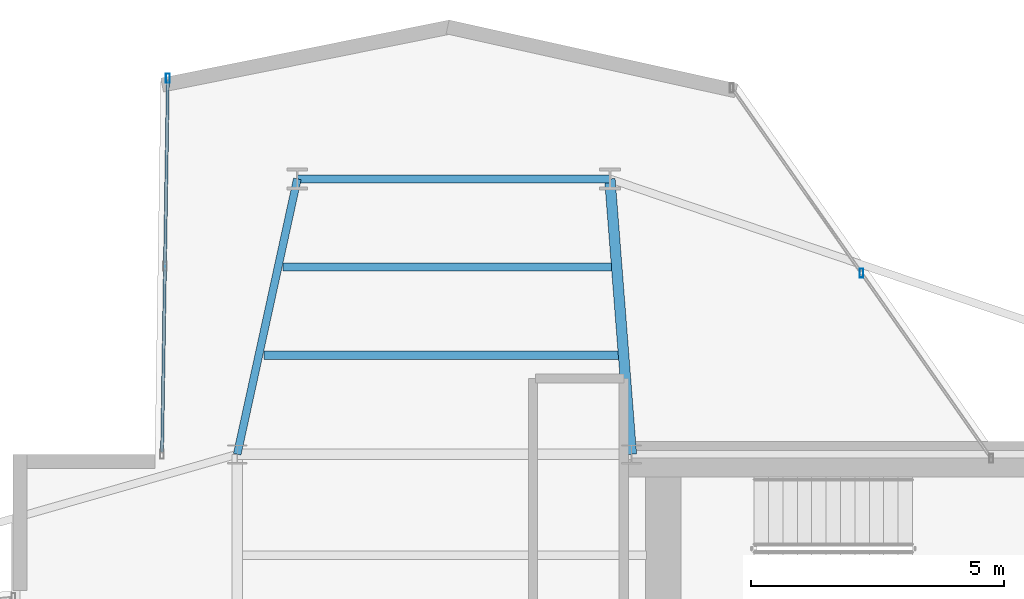
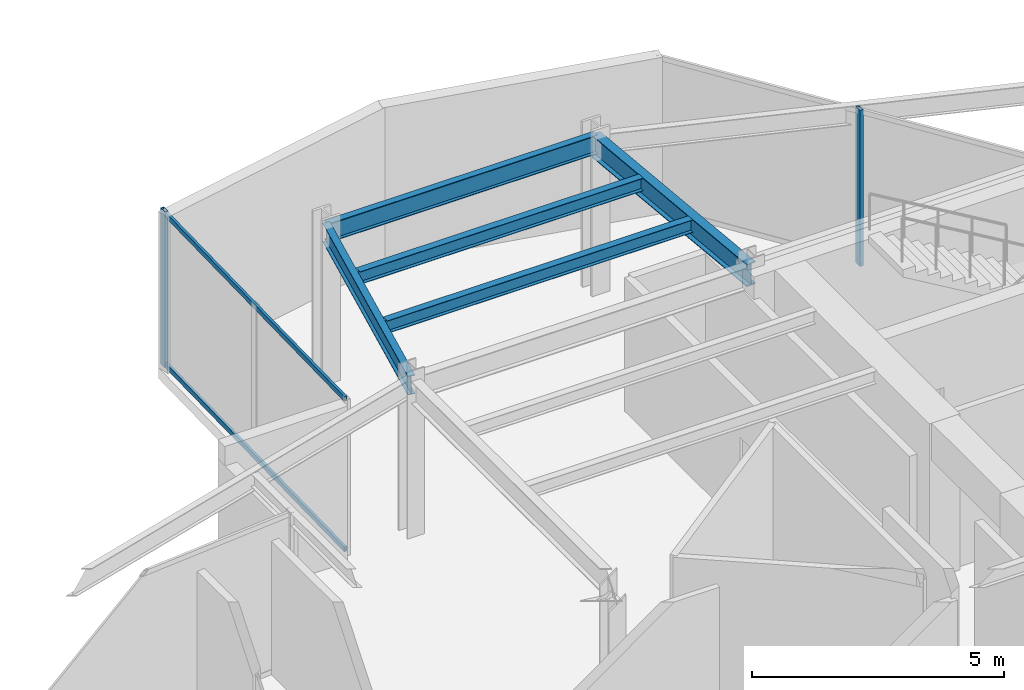
# One storey, part 11 of 24: 5 beams, 4 members, 2 elements without a shape of their own.
"""IFC4 building model written with IfcOpenShell, lengths in metres."""

from ifc_helpers import new_model, si_unit, direction, frame, origin, origin_2d, place, context, subcontext, project, spatial, hollow_rectangle, i_section, extrude, material, layer, layer_set, material_profile, profile_set, type_object, element, aggregate, save


model = new_model("IFC4")

# Units and contexts
model_context = context("Model", 3, precision=1e-05, world=origin(), true_north=direction((0.0, 1.0)))
body_context = subcontext(model_context, "Body", "Model", "MODEL_VIEW")
ifc_project = project(units=[si_unit("LENGTHUNIT", "METRE"), si_unit("AREAUNIT", "SQUARE_METRE"), si_unit("VOLUMEUNIT", "CUBIC_METRE"), si_unit("PLANEANGLEUNIT", "RADIAN"), si_unit("MASSUNIT", "GRAM", prefix="KILO")], contexts=[model_context])

# Site, building, storey
site_placement = place(None, origin())
site = spatial("IfcSite", under=ifc_project, at=site_placement, CompositionType="ELEMENT")
building_placement = place(site_placement, origin())
building = spatial("IfcBuilding", under=site, at=building_placement, Name="Veymaron Broadcast Tower", CompositionType="ELEMENT")
storey_placement = place(building_placement, frame((0.0, 0.0, 220.199951171875)))
storey = spatial("IfcBuildingStorey", under=building, at=storey_placement, Name="L51", CompositionType="ELEMENT", Elevation=220.199951171875)

# Beams
ifc_material_1 = material(Name="Structural steel ASTM A992 Gr 50", Category="steel")
ifc_material_profile_1 = material_profile(ifc_material_1, i_section(OverallWidth=0.2099609375, OverallDepth=0.537109375, WebThickness=0.010986328125, FlangeThickness=0.017333984375, at=origin_2d()), Name="W530X101")
ifc_profile_set_1 = profile_set([ifc_material_profile_1], Name="Structural steel ASTM A992 Gr 50")
beam_type_1 = type_object("IfcBeamType", Name="BM-FG3", PredefinedType="BEAM", material=ifc_profile_set_1)
beam_1_placement = place(storey_placement, frame((39.0, 32.0, 3.521484375), z_axis=(-0.077755189345, 0.996972482333, 0.0), x_axis=(-0.996972482333, -0.077755189345, 0.0)))
element("IfcBeam", 1, at=beam_1_placement, inside=storey, type_object=beam_type_1, Name="L51 primary structural floor girder", PredefinedType="BEAM", context=body_context, shape_type="SweptSolid", body=[
    extrude(i_section(OverallWidth=0.2099609375, OverallDepth=0.537109375, WebThickness=0.010986328125, FlangeThickness=0.017333984375, at=origin_2d()), origin(), (0.0, 0.0, 1.0), 5.466552734375),
])
ifc_material_profile_2 = material_profile(ifc_material_1, i_section(OverallWidth=0.1650390625, OverallDepth=0.31005859375, WebThickness=0.005859375, FlangeThickness=0.009765625, at=origin_2d()), Name="W310X39")
ifc_profile_set_2 = profile_set([ifc_material_profile_2], Name="Structural steel ASTM A992 Gr 50")
beam_type_2 = type_object("IfcBeamType", Name="BM-JS3", PredefinedType="JOIST", material=ifc_profile_set_2)
beam_2_placement = place(storey_placement, frame((31.728515625, 33.9619140625, 3.635009765625), z_axis=(1.0, 0.0, 0.0), x_axis=(0.0, 1.0, 0.0)))
element("IfcBeam", 2, at=beam_2_placement, inside=storey, type_object=beam_type_2, Name="L51 Arm-B secondary joist 1", PredefinedType="JOIST", context=body_context, shape_type="SweptSolid", body=[
    extrude(i_section(OverallWidth=0.1650390625, OverallDepth=0.31005859375, WebThickness=0.005859375, FlangeThickness=0.009765625, at=origin_2d()), origin(), (0.0, 0.0, 1.0), 7.0185546875),
])
beam_3_placement = place(storey_placement, frame((32.109130859375, 35.7060546875, 3.635009765625), z_axis=(1.0, 0.0, 0.0), x_axis=(0.0, 1.0, 0.0)))
element("IfcBeam", 3, at=beam_3_placement, inside=storey, type_object=beam_type_2, Name="L51 Arm-B secondary joist 2", PredefinedType="JOIST", context=body_context, shape_type="SweptSolid", body=[
    extrude(i_section(OverallWidth=0.1650390625, OverallDepth=0.31005859375, WebThickness=0.005859375, FlangeThickness=0.009765625, at=origin_2d()), origin(), (0.0, 0.0, 1.0), 6.501953125),
])
ifc_material_profile_3 = material_profile(ifc_material_1, i_section(OverallWidth=0.154052734375, OverallDepth=0.458984375, WebThickness=0.009033203125, FlangeThickness=0.015380859375, at=origin_2d()), Name="W460X68")
ifc_profile_set_3 = profile_set([ifc_material_profile_3], Name="Structural steel ASTM A992 Gr 50")
beam_type_3 = type_object("IfcBeamType", Name="BM-SP2", PredefinedType="SPANDREL", material=ifc_profile_set_3)
beam_4_placement = place(storey_placement, frame((31.199951171875, 32.0, 3.560546875), z_axis=(0.21331443187, 0.976983599226, 0.0), x_axis=(-0.976983599226, 0.21331443187, 0.0)))
element("IfcBeam", 4, at=beam_4_placement, inside=storey, type_object=beam_type_3, Name="L51 primary structural floor girder", PredefinedType="SPANDREL", context=body_context, shape_type="SweptSolid", body=[
    extrude(i_section(OverallWidth=0.154052734375, OverallDepth=0.458984375, WebThickness=0.009033203125, FlangeThickness=0.015380859375, at=origin_2d()), origin(), (0.0, 0.0, 1.0), 5.578369140625),
])
beam_5_placement = place(storey_placement, frame((32.389892578125, 37.449951171875, 3.560546875), z_axis=(1.0, 0.0, 0.0), x_axis=(0.0, 1.0, 0.0)))
element("IfcBeam", 5, at=beam_5_placement, inside=storey, type_object=beam_type_3, Name="L51 primary structural floor girder", PredefinedType="SPANDREL", context=body_context, shape_type="SweptSolid", body=[
    extrude(i_section(OverallWidth=0.154052734375, OverallDepth=0.458984375, WebThickness=0.009033203125, FlangeThickness=0.015380859375, at=origin_2d()), origin(), (0.0, 0.0, 1.0), 6.18505859375),
])

# Curtain wall, member
ifc_material_2 = material(Name="Anodised aluminium AA 6063-T6 and laminated low-E dark glass", Category="aluminium")
ifc_layer = layer(ifc_material_2, 0.179931640625)
ifc_layer_set = layer_set([ifc_layer], Name="Anodised aluminium AA 6063-T6 and laminated low-E dark glass")
curtain_wall_type = type_object("IfcCurtainWallType", Name="CW-SYS-05", PredefinedType="NOTDEFINED", material=ifc_layer_set)
curtain_wall_1_placement = place(storey_placement, origin())
curtain_wall_1 = element("IfcCurtainWall", 6, at=curtain_wall_1_placement, inside=storey, type_object=curtain_wall_type, Name="L51 dark-glass curtain wall CW-L51-E5-1", PredefinedType="NOTDEFINED")
ifc_material_3 = material(Name="Anodised aluminium AA 6063-T6", Category="aluminium")
ifc_material_profile_4 = material_profile(ifc_material_3, hollow_rectangle(XDim=0.074951171875, YDim=0.179931640625, WallThickness=0.0048828125, at=origin_2d()), Name="AL180X75X5")
ifc_profile_set_4 = profile_set([ifc_material_profile_4], Name="Anodised aluminium AA 6063-T6")
member_type_1 = type_object("IfcMemberType", Name="CW-MUL-02", PredefinedType="MULLION", material=ifc_profile_set_4)
member_1_placement = place(storey_placement, frame((43.55615234375, 35.584716796875, 0.0), z_axis=(0.0, 0.0, 1.0), x_axis=(1.0, 0.0, 0.0)))
member_1 = element("IfcMember", 7, at=member_1_placement, type_object=member_type_1, Name="CW-L51-E5-1 mullion 1", PredefinedType="MULLION", context=body_context, shape_type="SweptSolid", body=[
    extrude(hollow_rectangle(XDim=0.074951171875, YDim=0.179931640625, WallThickness=0.0048828125, at=origin_2d()), origin(), (0.0, 0.0, 1.0), 3.7900390625),
])
aggregate(curtain_wall_1, [member_1])

# Curtain wall, members
curtain_wall_2_placement = place(storey_placement, origin())
curtain_wall_2 = element("IfcCurtainWall", 8, at=curtain_wall_2_placement, inside=storey, type_object=curtain_wall_type, Name="L51 dark-glass curtain wall CW-L51-E8-1", PredefinedType="NOTDEFINED")
member_2_placement = place(storey_placement, frame((29.82763671875, 39.44287109375, 0.0), z_axis=(0.0, 0.0, 1.0), x_axis=(1.0, 0.0, 0.0)))
member_2 = element("IfcMember", 9, at=member_2_placement, type_object=member_type_1, Name="CW-L51-E8-1 mullion 0", PredefinedType="MULLION", context=body_context, shape_type="SweptSolid", body=[
    extrude(hollow_rectangle(XDim=0.074951171875, YDim=0.179931640625, WallThickness=0.0048828125, at=origin_2d()), origin(), (0.0, 0.0, 1.0), 3.7900390625),
])
ifc_material_profile_5 = material_profile(ifc_material_3, hollow_rectangle(XDim=0.06005859375, YDim=0.1201171875, WallThickness=0.00390625, at=origin_2d()), Name="AL120X60X4")
ifc_profile_set_5 = profile_set([ifc_material_profile_5], Name="Anodised aluminium AA 6063-T6")
member_type_2 = type_object("IfcMemberType", Name="CW-TRN-02", PredefinedType="USERDEFINED", material=ifc_profile_set_5)
member_3_placement = place(storey_placement, frame((29.826904296875, 39.392822265625, 0.070068359375), z_axis=(-0.015487588765, -0.999880060104, 0.0), x_axis=(0.999880060104, -0.015487588765, 0.0)))
member_3 = element("IfcMember", 10, at=member_3_placement, type_object=member_type_2, Name="CW-L51-E8-1 transom B", ObjectType="TRANSOM", PredefinedType="USERDEFINED", context=body_context, shape_type="SweptSolid", body=[
    extrude(hollow_rectangle(XDim=0.06005859375, YDim=0.1201171875, WallThickness=0.00390625, at=origin_2d()), origin(), (0.0, 0.0, 1.0), 7.345947265625),
])
member_4_placement = place(storey_placement, frame((29.826904296875, 39.392822265625, 3.719970703125), z_axis=(-0.015487588765, -0.999880060104, 0.0), x_axis=(0.999880060104, -0.015487588765, 0.0)))
member_4 = element("IfcMember", 11, at=member_4_placement, type_object=member_type_2, Name="CW-L51-E8-1 transom T", ObjectType="TRANSOM", PredefinedType="USERDEFINED", context=body_context, shape_type="SweptSolid", body=[
    extrude(hollow_rectangle(XDim=0.06005859375, YDim=0.1201171875, WallThickness=0.00390625, at=origin_2d()), origin(), (0.0, 0.0, 1.0), 7.345947265625),
])
aggregate(curtain_wall_2, [member_2, member_3, member_4])

save(model, "model.ifc")
